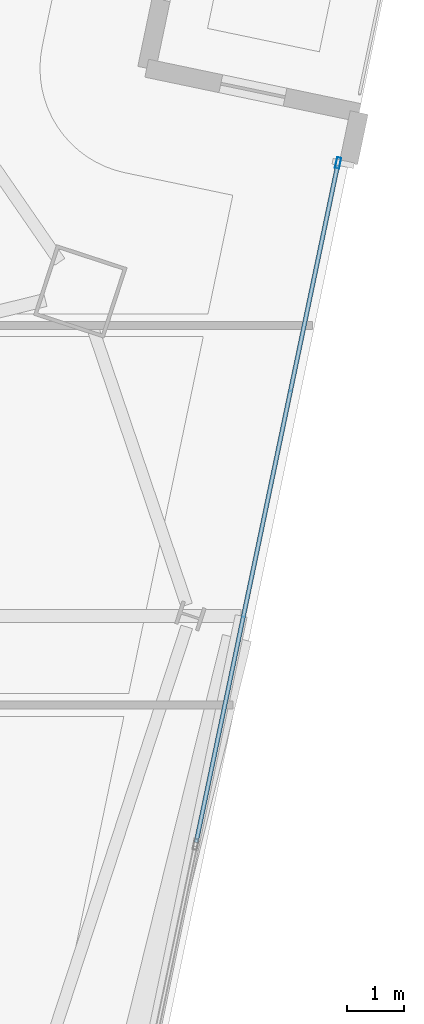
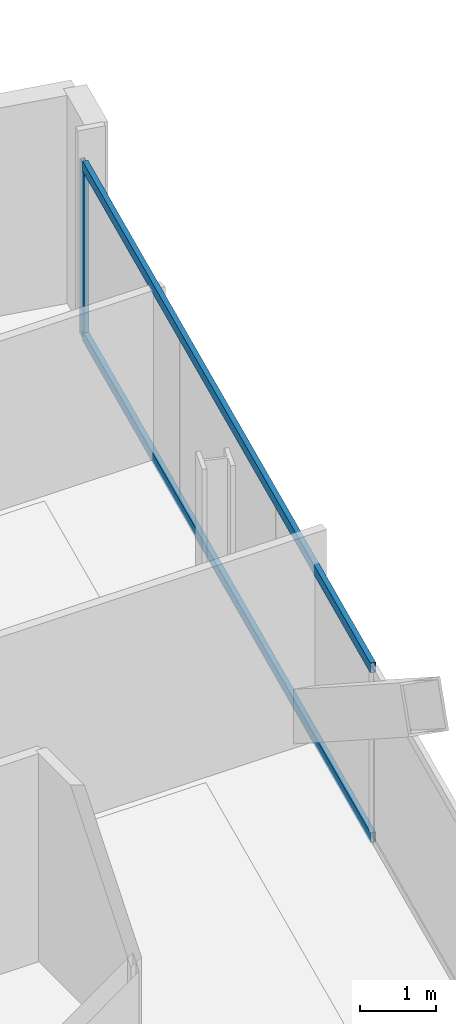
# One storey, part 16 of 24: 3 members, 1 element without a shape of its own.
"""IFC4 building model written with IfcOpenShell, lengths in metres."""

from ifc_helpers import new_model, si_unit, direction, frame, origin, origin_2d, place, context, subcontext, project, spatial, hollow_rectangle, extrude, material, material_profile, profile_set, type_object, element, aggregate, save


model = new_model("IFC4")

# Units and contexts
model_context = context("Model", 3, precision=1e-05, world=origin(), true_north=direction((0.0, 1.0)))
body_context = subcontext(model_context, "Body", "Model", "MODEL_VIEW")
ifc_project = project(units=[si_unit("LENGTHUNIT", "METRE"), si_unit("AREAUNIT", "SQUARE_METRE"), si_unit("VOLUMEUNIT", "CUBIC_METRE"), si_unit("PLANEANGLEUNIT", "RADIAN"), si_unit("MASSUNIT", "GRAM", prefix="KILO")], contexts=[model_context])

# Site, building, storey
site_placement = place(None, origin())
site = spatial("IfcSite", under=ifc_project, at=site_placement, CompositionType="ELEMENT")
building_placement = place(site_placement, origin())
building = spatial("IfcBuilding", under=site, at=building_placement, Name="Haldenkirk Collegiate Tower", CompositionType="ELEMENT")
storey_placement = place(building_placement, frame((0.0, 0.0, 289.949951171875)))
storey = spatial("IfcBuildingStorey", under=building, at=storey_placement, Name="L73", CompositionType="ELEMENT", Elevation=289.949951171875)

# Curtain wall, members
ifc_material = material(Name="Anodised architectural bronze aluminium", Category="aluminium")
curtain_wall_type = type_object("IfcCurtainWallType", Name="CW-SYS2-CONCAVE", PredefinedType="USERDEFINED", material=ifc_material)
curtain_wall_placement = place(storey_placement, origin())
curtain_wall = element("IfcCurtainWall", 1, at=curtain_wall_placement, inside=storey, type_object=curtain_wall_type, Name="L73 South concave recessed bronze-anodised curtain wall", ObjectType="UNITISED CURTAIN WALL", PredefinedType="USERDEFINED")
ifc_material_profile_1 = material_profile(ifc_material, hollow_rectangle(XDim=0.074951171875, YDim=0.18994140625, WallThickness=0.0048828125, at=origin_2d()), Name="CW-MUL-02")
ifc_profile_set_1 = profile_set([ifc_material_profile_1], Name="Anodised architectural bronze aluminium")
member_type_1 = type_object("IfcMemberType", Name="CW-MUL-02", PredefinedType="MULLION", material=ifc_profile_set_1)
member_1_placement = place(storey_placement, frame((61.911376953125, 39.294677734375, 0.0), z_axis=(0.0, 0.0, 1.0), x_axis=(0.978866833362, -0.204498710371, 0.0)))
member_1 = element("IfcMember", 2, at=member_1_placement, type_object=member_type_1, Name="CW-02 mullion 1", PredefinedType="MULLION", context=body_context, shape_type="SweptSolid", body=[
    extrude(hollow_rectangle(XDim=0.074951171875, YDim=0.18994140625, WallThickness=0.0048828125, at=origin_2d()), origin(), (0.0, 0.0, 1.0), 2.798095703125),
])
ifc_material_profile_2 = material_profile(ifc_material, hollow_rectangle(XDim=0.074951171875, YDim=0.159912109375, WallThickness=0.0048828125, at=origin_2d()), Name="CW-TRN-02")
ifc_profile_set_2 = profile_set([ifc_material_profile_2], Name="Anodised architectural bronze aluminium")
member_type_2 = type_object("IfcMemberType", Name="CW-TRN-02", PredefinedType="USERDEFINED", material=ifc_profile_set_2)
member_2_placement = place(storey_placement, frame((61.903564453125, 39.258056640625, 0.03759765625), z_axis=(-0.204483484574, -0.978870014117, 0.0), x_axis=(0.978870014117, -0.204483484574, 0.0)))
member_2 = element("IfcMember", 3, at=member_2_placement, type_object=member_type_2, Name="CW-02 transom 1.1", ObjectType="TRANSOM", PredefinedType="USERDEFINED", context=body_context, shape_type="SweptSolid", body=[
    extrude(hollow_rectangle(XDim=0.074951171875, YDim=0.159912109375, WallThickness=0.0048828125, at=origin_2d()), origin(), (0.0, 0.0, 1.0), 12.120849609375),
])
member_3_placement = place(storey_placement, frame((61.903564453125, 39.258056640625, 2.760498046875), z_axis=(-0.204483484574, -0.978870014117, 0.0), x_axis=(0.978870014117, -0.204483484574, 0.0)))
member_3 = element("IfcMember", 4, at=member_3_placement, type_object=member_type_2, Name="CW-02 transom 1.2", ObjectType="TRANSOM", PredefinedType="USERDEFINED", context=body_context, shape_type="SweptSolid", body=[
    extrude(hollow_rectangle(XDim=0.074951171875, YDim=0.159912109375, WallThickness=0.0048828125, at=origin_2d()), origin(), (0.0, 0.0, 1.0), 12.120849609375),
])
aggregate(curtain_wall, [member_1, member_2, member_3])

save(model, "model.ifc")
